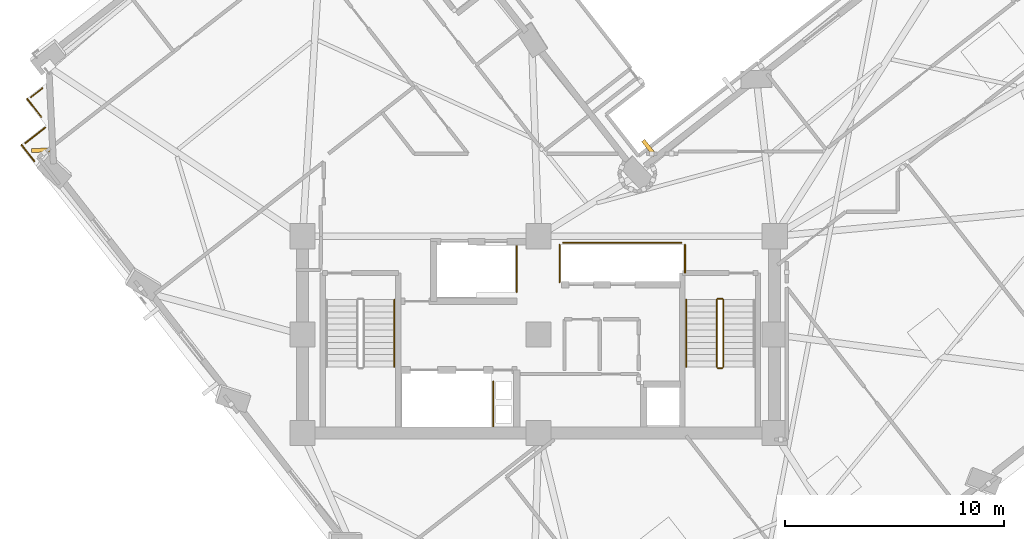
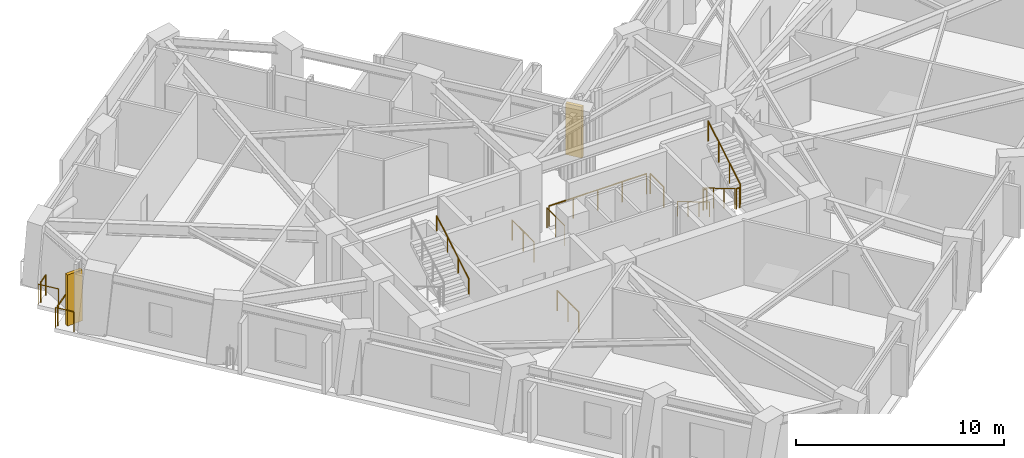
# One storey, part 11 of 14: 15 railings, 2 shading devices.
"""IFC4 building model written with IfcOpenShell, lengths in metres."""

from ifc_helpers import new_model, si_unit, direction, frame, origin, origin_2d, place, context, subcontext, project, spatial, rectangle, circle, extrude, material, layer, layer_set, type_object, element, save


model = new_model("IFC4")

# Units and contexts
model_context = context("Model", 3, precision=1e-05, world=origin(), true_north=direction((0.0, 1.0)))
body_context = subcontext(model_context, "Body", "Model", "MODEL_VIEW")
ifc_project = project(units=[si_unit("LENGTHUNIT", "METRE"), si_unit("AREAUNIT", "SQUARE_METRE"), si_unit("VOLUMEUNIT", "CUBIC_METRE"), si_unit("PLANEANGLEUNIT", "RADIAN"), si_unit("MASSUNIT", "GRAM", prefix="KILO")], contexts=[model_context])

# Site, building, storey
site_placement = place(None, origin())
site = spatial("IfcSite", under=ifc_project, at=site_placement, CompositionType="ELEMENT")
building_placement = place(site_placement, origin())
building = spatial("IfcBuilding", under=site, at=building_placement, Name="Gaonmaruhae Medical Tower", CompositionType="ELEMENT")
storey_placement = place(building_placement, frame((0.0, 0.0, 185.800048828125)))
storey = spatial("IfcBuildingStorey", under=building, at=storey_placement, Name="L44", CompositionType="ELEMENT", Elevation=185.800048828125)

# Railings
ifc_material_1 = material(Name="Stainless steel 316L and laminated safety glass", Category="steel")
ifc_layer = layer(ifc_material_1, 0.080078125)
ifc_layer_set = layer_set([ifc_layer], Name="Stainless steel 316L and laminated safety glass")
railing_type_1 = type_object("IfcRailingType", Name="GD-120 Outdoor Terrace Safety Glass & Steel Balustrade", PredefinedType="BALUSTRADE", material=ifc_layer_set)
railing_1_placement = place(storey_placement, frame((1.7265625, 20.23046875, 0.0)))
element("IfcRailing", 1, at=railing_1_placement, inside=storey, type_object=railing_type_1, Name="L44 Perimeter Slab Edge Safety Balustrade 09", PredefinedType="BALUSTRADE", context=body_context, shape_type="SweptSolid", body=[
    extrude(circle(Radius=0.02392578125, at=origin_2d()), frame((0.0, 0.0, 1.17578125), z_axis=(-0.61566877766, 0.788005048343, 0.0), x_axis=(-0.788005048343, -0.61566877766, 0.0)), (0.0, 0.0, 1.0), 0.957763671875),
    extrude(circle(Radius=0.02099609375, at=origin_2d()), origin(), (0.0, 0.0, 1.0), 1.15185546875),
    extrude(circle(Radius=0.02099609375, at=origin_2d()), frame((-0.589599609375, 0.754638671875, 0.0)), (0.0, 0.0, 1.0), 1.15185546875),
])
railing_2_placement = place(storey_placement, frame((1.312255859375, 21.05859375, 0.0)))
element("IfcRailing", 2, at=railing_2_placement, inside=storey, type_object=railing_type_1, Name="L44 Perimeter Slab Edge Safety Balustrade 10", PredefinedType="BALUSTRADE", context=body_context, shape_type="SweptSolid", body=[
    extrude(circle(Radius=0.02392578125, at=origin_2d()), frame((0.0, 0.0, 1.17578125), z_axis=(0.788024373725, 0.615644041972, 0.0), x_axis=(-0.615644041972, 0.788024373725, 0.0)), (0.0, 0.0, 1.0), 1.159912109375),
    extrude(circle(Radius=0.02099609375, at=origin_2d()), origin(), (0.0, 0.0, 1.0), 1.15185546875),
    extrude(circle(Radius=0.02099609375, at=origin_2d()), frame((0.9140625, 0.714111328125, 0.0)), (0.0, 0.0, 1.0), 1.15185546875),
])
railing_3_placement = place(storey_placement, frame((2.048095703125, 22.25537109375, 0.0)))
element("IfcRailing", 3, at=railing_3_placement, inside=storey, type_object=railing_type_1, Name="L44 Perimeter Slab Edge Safety Balustrade 11", PredefinedType="BALUSTRADE", context=body_context, shape_type="SweptSolid", body=[
    extrude(circle(Radius=0.02392578125, at=origin_2d()), frame((0.0, 0.0, 1.17578125), z_axis=(-0.615693209325, 0.78798595926, 0.0), x_axis=(-0.78798595926, -0.615693209325, 0.0)), (0.0, 0.0, 1.0), 1.059814453125),
    extrude(circle(Radius=0.02099609375, at=origin_2d()), origin(), (0.0, 0.0, 1.0), 1.15185546875),
    extrude(circle(Radius=0.02099609375, at=origin_2d()), frame((-0.652587890625, 0.835205078125, 0.0)), (0.0, 0.0, 1.0), 1.15185546875),
])
railing_4_placement = place(storey_placement, frame((1.57080078125, 23.1640625, 0.0)))
element("IfcRailing", 4, at=railing_4_placement, inside=storey, type_object=railing_type_1, Name="L44 Perimeter Slab Edge Safety Balustrade 12", PredefinedType="BALUSTRADE", context=body_context, shape_type="SweptSolid", body=[
    extrude(circle(Radius=0.02392578125, at=origin_2d()), frame((0.0, 0.0, 1.17578125), z_axis=(0.788035591597, 0.615629682825, 0.0), x_axis=(-0.615629682825, 0.788035591597, 0.0)), (0.0, 0.0, 1.0), 0.659912109375),
    extrude(circle(Radius=0.02099609375, at=origin_2d()), origin(), (0.0, 0.0, 1.0), 1.15185546875),
    extrude(circle(Radius=0.02099609375, at=origin_2d()), frame((0.52001953125, 0.40625, 0.0)), (0.0, 0.0, 1.0), 1.15185546875),
])
ifc_material_2 = material(Name="Stainless steel 304 handrail", Category="steel")
railing_type_2 = type_object("IfcRailingType", Name="HR-092 Continuous Stainless Steel Stair Handrail", PredefinedType="HANDRAIL", material=ifc_material_2)
railing_5_placement = place(storey_placement, frame((18.199951171875, 10.820068359375, 2.16650390625)))
element("IfcRailing", 5, at=railing_5_placement, inside=storey, type_object=railing_type_2, Name="L44 ST-01 stair handrail 2", PredefinedType="HANDRAIL", context=body_context, shape_type="SweptSolid", body=[
    extrude(circle(Radius=0.02392578125, at=origin_2d()), frame((0.0, 0.0, 0.8759765625), z_axis=(0.0, 0.859260807169, 0.511537745687), x_axis=(-1.0, 0.0, 0.0)), (0.0, 0.0, 1.0), 3.584228515625),
    extrude(circle(Radius=0.02099609375, at=origin_2d()), origin(), (0.0, 0.0, 1.0), 0.851806640625),
    extrude(circle(Radius=0.02099609375, at=origin_2d()), frame((0.0, 1.026611328125, 0.611083984375)), (0.0, 0.0, 1.0), 0.851806640625),
    extrude(circle(Radius=0.02099609375, at=origin_2d()), frame((0.0, 2.05322265625, 1.222412109375)), (0.0, 0.0, 1.0), 0.851806640625),
    extrude(circle(Radius=0.02099609375, at=origin_2d()), frame((0.0, 3.079833984375, 1.83349609375)), (0.0, 0.0, 1.0), 0.851806640625),
])
railing_6_placement = place(storey_placement, frame((31.550048828125, 13.89990234375, 0.16650390625)))
element("IfcRailing", 6, at=railing_6_placement, inside=storey, type_object=railing_type_2, Name="L44 ST-02 stair handrail 1", PredefinedType="HANDRAIL", context=body_context, shape_type="SweptSolid", body=[
    extrude(circle(Radius=0.02392578125, at=origin_2d()), frame((0.0, 0.0, 0.8759765625), z_axis=(0.0, -0.859260807169, 0.511537745687), x_axis=(1.0, 0.0, 0.0)), (0.0, 0.0, 1.0), 3.584228515625),
    extrude(circle(Radius=0.02099609375, at=origin_2d()), origin(), (0.0, 0.0, 1.0), 0.851806640625),
    extrude(circle(Radius=0.02099609375, at=origin_2d()), frame((0.0, -1.026611328125, 0.611083984375)), (0.0, 0.0, 1.0), 0.851806640625),
    extrude(circle(Radius=0.02099609375, at=origin_2d()), frame((0.0, -2.05322265625, 1.222412109375)), (0.0, 0.0, 1.0), 0.851806640625),
    extrude(circle(Radius=0.02099609375, at=origin_2d()), frame((0.0, -3.079833984375, 1.83349609375)), (0.0, 0.0, 1.0), 0.851806640625),
])

# Shading devices
ifc_material_3 = material(Name="Pigmented coral precast concrete C45/55", Category="concrete")
shading_device_type = type_object("IfcShadingDeviceType", Name="SD-FIN1 Tower Vertical Coral Precast Shading Fin", PredefinedType="USERDEFINED", material=ifc_material_3)
for number, where, z_axis, x_axis, name in (
    (7, (29.84423828125, 20.843994140625, 0.132568359375), (0.0, 0.0, 1.0), (0.788010753607, 0.615661475326, 0.0), "L44 Vertical Coral Precast Shading Fin EN03"),
    (8, (2.023681640625, 20.7373046875, 0.132568359375), (0.0, 0.0, 1.0), (-0.048518550458, 0.99882228162, 0.0), "L44 Vertical Coral Precast Shading Fin N03"),
):
    element("IfcShadingDevice", number, at=place(storey_placement, frame(where, z_axis=z_axis, x_axis=x_axis)), inside=storey, type_object=shading_device_type, Name=name, ObjectType="FIN", PredefinedType="USERDEFINED", context=body_context, shape_type="SweptSolid", body=[
        extrude(rectangle(XDim=0.179931640625, YDim=0.85009765625, at=origin_2d()), origin(), (0.0, 0.0, 1.0), 3.0),
    ])

# Railings
ifc_material_4 = material(Name="Stainless steel 304 balustrade", Category="steel")
railing_type_3 = type_object("IfcRailingType", Name="SG-112 Stair Well & Ramp Void Safety Balustrade", PredefinedType="BALUSTRADE", material=ifc_material_4)
railing_7_placement = place(storey_placement, frame((32.949951171875, 13.89990234375, 0.16650390625)))
element("IfcRailing", 9, at=railing_7_placement, inside=storey, type_object=railing_type_3, Name="L44 ST-02 stair guard 1", PredefinedType="BALUSTRADE", context=body_context, shape_type="SweptSolid", body=[
    extrude(circle(Radius=0.02392578125, at=origin_2d()), frame((0.0, 0.0, 1.17578125), z_axis=(0.0, -0.859260807169, 0.511537745687), x_axis=(1.0, 0.0, 0.0)), (0.0, 0.0, 1.0), 3.584228515625),
    extrude(circle(Radius=0.02099609375, at=origin_2d()), origin(), (0.0, 0.0, 1.0), 1.15185546875),
    extrude(circle(Radius=0.02099609375, at=origin_2d()), frame((0.0, -1.026611328125, 0.611083984375)), (0.0, 0.0, 1.0), 1.15185546875),
    extrude(circle(Radius=0.02099609375, at=origin_2d()), frame((0.0, -2.05322265625, 1.222412109375)), (0.0, 0.0, 1.0), 1.15185546875),
    extrude(circle(Radius=0.02099609375, at=origin_2d()), frame((0.0, -3.079833984375, 1.83349609375)), (0.0, 0.0, 1.0), 1.15185546875),
])
railing_8_placement = place(storey_placement, frame((33.0, 10.77001953125, 2.0)))
element("IfcRailing", 10, at=railing_8_placement, inside=storey, type_object=railing_type_3, Name="L44 ST-02 stair guard 2", PredefinedType="BALUSTRADE", context=body_context, shape_type="SweptSolid", body=[
    extrude(circle(Radius=0.02392578125, at=origin_2d()), frame((0.0, 0.0, 1.17578125), z_axis=(1.0, 0.0, 0.0), x_axis=(0.0, 1.0, 0.0)), (0.0, 0.0, 1.0), 0.199951171875),
    extrude(circle(Radius=0.02099609375, at=origin_2d()), origin(), (0.0, 0.0, 1.0), 1.15185546875),
    extrude(circle(Radius=0.02099609375, at=origin_2d()), frame((0.199951171875, 0.0, 0.0)), (0.0, 0.0, 1.0), 1.15185546875),
])
railing_9_placement = place(storey_placement, frame((33.25, 10.820068359375, 2.16650390625)))
element("IfcRailing", 11, at=railing_9_placement, inside=storey, type_object=railing_type_3, Name="L44 ST-02 stair guard 3", PredefinedType="BALUSTRADE", context=body_context, shape_type="SweptSolid", body=[
    extrude(circle(Radius=0.02392578125, at=origin_2d()), frame((0.0, 0.0, 1.17578125), z_axis=(0.0, 0.859260807169, 0.511537745687), x_axis=(-1.0, 0.0, 0.0)), (0.0, 0.0, 1.0), 3.584228515625),
    extrude(circle(Radius=0.02099609375, at=origin_2d()), origin(), (0.0, 0.0, 1.0), 1.15185546875),
    extrude(circle(Radius=0.02099609375, at=origin_2d()), frame((0.0, 1.026611328125, 0.611083984375)), (0.0, 0.0, 1.0), 1.15185546875),
    extrude(circle(Radius=0.02099609375, at=origin_2d()), frame((0.0, 2.05322265625, 1.222412109375)), (0.0, 0.0, 1.0), 1.15185546875),
    extrude(circle(Radius=0.02099609375, at=origin_2d()), frame((0.0, 3.079833984375, 1.83349609375)), (0.0, 0.0, 1.0), 1.15185546875),
])
railing_10_placement = place(storey_placement, frame((33.0, 13.949951171875, 0.0)))
element("IfcRailing", 12, at=railing_10_placement, inside=storey, type_object=railing_type_3, Name="L44 ST-02 stair guard 4", PredefinedType="BALUSTRADE", context=body_context, shape_type="SweptSolid", body=[
    extrude(circle(Radius=0.02392578125, at=origin_2d()), frame((0.0, 0.0, 1.17578125), z_axis=(1.0, 0.0, 0.0), x_axis=(0.0, 1.0, 0.0)), (0.0, 0.0, 1.0), 0.199951171875),
    extrude(circle(Radius=0.02099609375, at=origin_2d()), origin(), (0.0, 0.0, 1.0), 1.15185546875),
    extrude(circle(Radius=0.02099609375, at=origin_2d()), frame((0.199951171875, 0.0, 0.0)), (0.0, 0.0, 1.0), 1.15185546875),
])
railing_11_placement = place(storey_placement, frame((22.719970703125, 10.159912109375, 0.0)))
element("IfcRailing", 13, at=railing_11_placement, inside=storey, type_object=railing_type_3, Name="L44 Shaft Edge Safety Guard 20", PredefinedType="BALUSTRADE", context=body_context, shape_type="SweptSolid", body=[
    extrude(circle(Radius=0.02392578125, at=origin_2d()), frame((0.0, 0.0, 1.17578125), z_axis=(0.0, -1.0, 0.0), x_axis=(1.0, 0.0, 0.0)), (0.0, 0.0, 1.0), 2.06494140625),
    extrude(circle(Radius=0.02099609375, at=origin_2d()), origin(), (0.0, 0.0, 1.0), 1.15185546875),
    extrude(circle(Radius=0.02099609375, at=origin_2d()), frame((0.0, -1.032470703125, 0.0)), (0.0, 0.0, 1.0), 1.15185546875),
    extrude(circle(Radius=0.02099609375, at=origin_2d()), frame((0.0, -2.06494140625, 0.0)), (0.0, 0.0, 1.0), 1.15185546875),
])
railing_12_placement = place(storey_placement, frame((23.794921875, 16.35498046875, 0.0)))
element("IfcRailing", 14, at=railing_12_placement, inside=storey, type_object=railing_type_3, Name="L44 Shaft Edge Safety Guard 21", PredefinedType="BALUSTRADE", context=body_context, shape_type="SweptSolid", body=[
    extrude(circle(Radius=0.02392578125, at=origin_2d()), frame((0.0, 0.0, 1.17578125), z_axis=(0.0, -1.0, 0.0), x_axis=(1.0, 0.0, 0.0)), (0.0, 0.0, 1.0), 2.10986328125),
    extrude(circle(Radius=0.02099609375, at=origin_2d()), origin(), (0.0, 0.0, 1.0), 1.15185546875),
    extrude(circle(Radius=0.02099609375, at=origin_2d()), frame((0.0, -1.054931640625, 0.0)), (0.0, 0.0, 1.0), 1.15185546875),
    extrude(circle(Radius=0.02099609375, at=origin_2d()), frame((0.0, -2.10986328125, 0.0)), (0.0, 0.0, 1.0), 1.15185546875),
])
railing_13_placement = place(storey_placement, frame((31.4951171875, 16.405029296875, 0.0)))
element("IfcRailing", 15, at=railing_13_placement, inside=storey, type_object=railing_type_3, Name="L44 Shaft Edge Safety Guard 22", PredefinedType="BALUSTRADE", context=body_context, shape_type="SweptSolid", body=[
    extrude(circle(Radius=0.02392578125, at=origin_2d()), frame((0.0, 0.0, 1.17578125), z_axis=(0.0, -1.0, 0.0), x_axis=(1.0, 0.0, 0.0)), (0.0, 0.0, 1.0), 1.284912109375),
    extrude(circle(Radius=0.02099609375, at=origin_2d()), origin(), (0.0, 0.0, 1.0), 1.15185546875),
    extrude(circle(Radius=0.02099609375, at=origin_2d()), frame((0.0, -1.284912109375, 0.0)), (0.0, 0.0, 1.0), 1.15185546875),
])
railing_14_placement = place(storey_placement, frame((25.7548828125, 14.695068359375, 0.0)))
element("IfcRailing", 16, at=railing_14_placement, inside=storey, type_object=railing_type_3, Name="L44 Shaft Edge Safety Guard 23", PredefinedType="BALUSTRADE", context=body_context, shape_type="SweptSolid", body=[
    extrude(circle(Radius=0.02392578125, at=origin_2d()), frame((0.0, 0.0, 1.17578125), z_axis=(0.0, 1.0, 0.0), x_axis=(-1.0, 0.0, 0.0)), (0.0, 0.0, 1.0), 1.7099609375),
    extrude(circle(Radius=0.02099609375, at=origin_2d()), origin(), (0.0, 0.0, 1.0), 1.15185546875),
    extrude(circle(Radius=0.02099609375, at=origin_2d()), frame((0.0, 0.85498046875, 0.0)), (0.0, 0.0, 1.0), 1.15185546875),
    extrude(circle(Radius=0.02099609375, at=origin_2d()), frame((0.0, 1.7099609375, 0.0)), (0.0, 0.0, 1.0), 1.15185546875),
])
railing_15_placement = place(storey_placement, frame((25.919921875, 16.4951171875, 0.0)))
element("IfcRailing", 17, at=railing_15_placement, inside=storey, type_object=railing_type_3, Name="L44 Shaft Edge Safety Guard 24", PredefinedType="BALUSTRADE", context=body_context, shape_type="SweptSolid", body=[
    extrude(circle(Radius=0.02392578125, at=origin_2d()), frame((0.0, 0.0, 1.17578125), z_axis=(1.0, 0.0, 0.0), x_axis=(0.0, 1.0, 0.0)), (0.0, 0.0, 1.0), 5.41015625),
    extrude(circle(Radius=0.02099609375, at=origin_2d()), origin(), (0.0, 0.0, 1.0), 1.15185546875),
    extrude(circle(Radius=0.02099609375, at=origin_2d()), frame((1.3525390625, 0.0, 0.0)), (0.0, 0.0, 1.0), 1.15185546875),
    extrude(circle(Radius=0.02099609375, at=origin_2d()), frame((2.705078125, 0.0, 0.0)), (0.0, 0.0, 1.0), 1.15185546875),
    extrude(circle(Radius=0.02099609375, at=origin_2d()), frame((4.0576171875, 0.0, 0.0)), (0.0, 0.0, 1.0), 1.15185546875),
    extrude(circle(Radius=0.02099609375, at=origin_2d()), frame((5.41015625, 0.0, 0.0)), (0.0, 0.0, 1.0), 1.15185546875),
])

save(model, "model.ifc")
